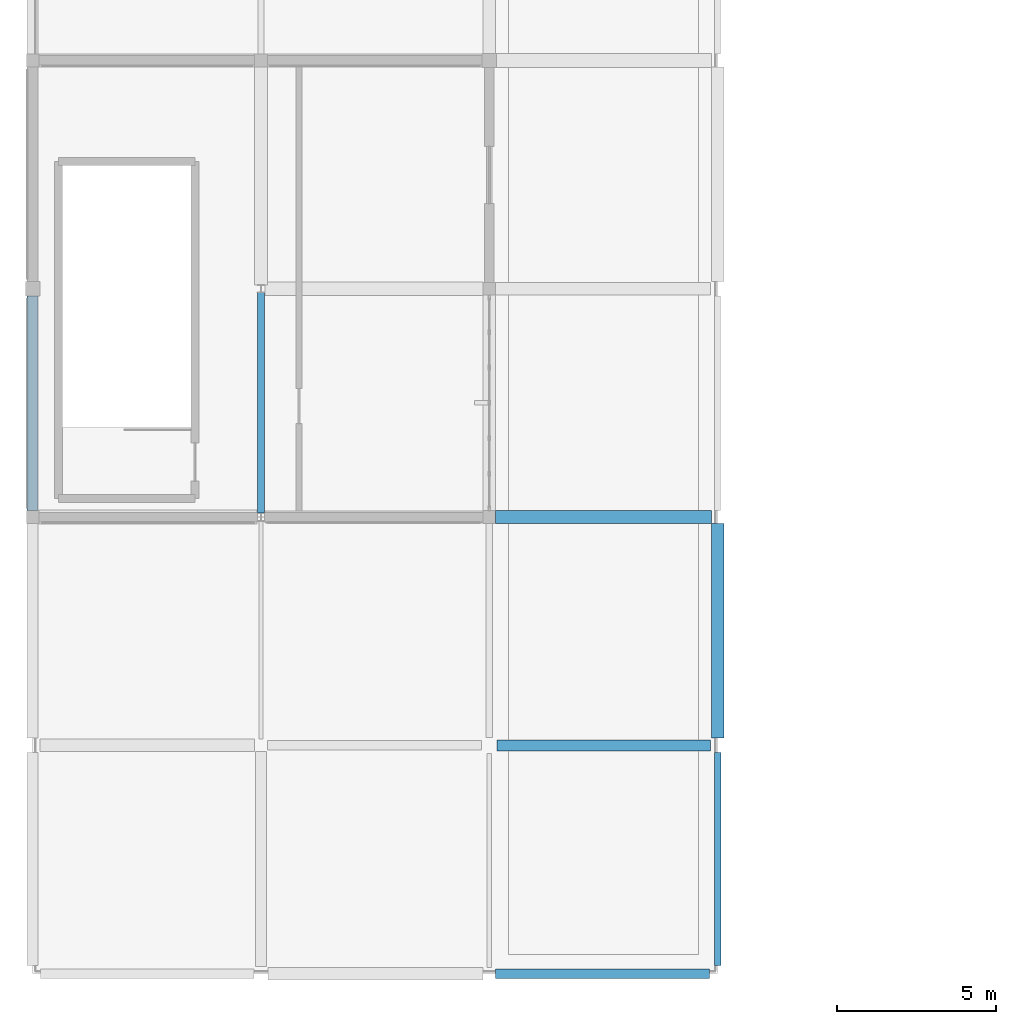
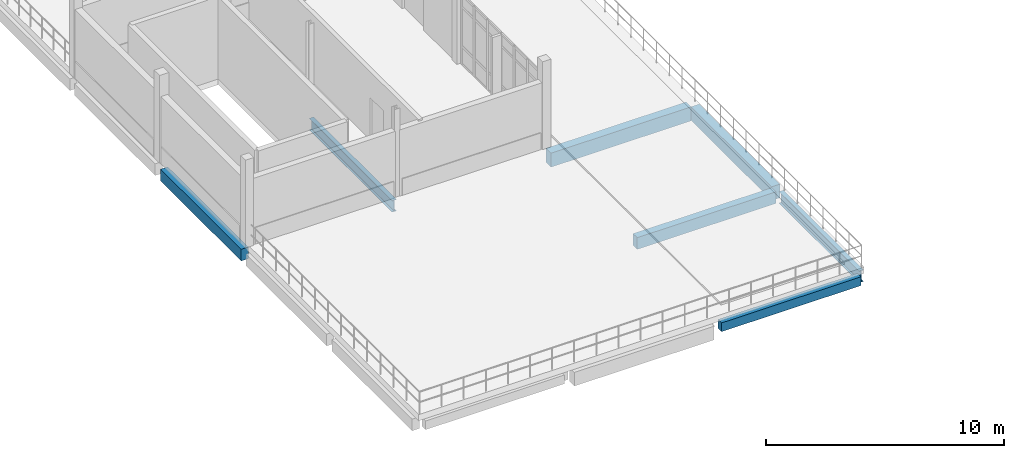
# One storey, part 4 of 41: 7 beams.
"""IFC4 building model written with IfcOpenShell, lengths in metres."""

from ifc_helpers import new_model, si_unit, direction, frame, origin, origin_2d, place, context, subcontext, project, spatial, rectangle, i_section, extrude, material, material_profile, profile_set, type_object, element, save


model = new_model("IFC4")

# Units and contexts
model_context = context("Model", 3, precision=1e-05, world=origin(), true_north=direction((0.0, 1.0)))
body_context = subcontext(model_context, "Body", "Model", "MODEL_VIEW")
ifc_project = project(units=[si_unit("LENGTHUNIT", "METRE"), si_unit("AREAUNIT", "SQUARE_METRE"), si_unit("VOLUMEUNIT", "CUBIC_METRE"), si_unit("PLANEANGLEUNIT", "RADIAN"), si_unit("MASSUNIT", "GRAM", prefix="KILO")], contexts=[model_context])

# Site, building, storey
site_placement = place(None, origin())
site = spatial("IfcSite", under=ifc_project, at=site_placement, CompositionType="ELEMENT")
building_placement = place(site_placement, origin())
building = spatial("IfcBuilding", under=site, at=building_placement, Name="Kalluvel Institute of Natural Sciences", CompositionType="ELEMENT")
storey_placement = place(building_placement, frame((0.0, 0.0, 32.39990234375)))
storey = spatial("IfcBuildingStorey", under=building, at=storey_placement, Name="L07", CompositionType="ELEMENT", Elevation=32.39990234375)

# Beams
ifc_material_1 = material(Name="Steel E350 Grade 350", Category="steel")
ifc_material_profile_1 = material_profile(ifc_material_1, i_section(OverallWidth=0.2099609375, OverallDepth=0.60009765625, WebThickness=0.011962890625, FlangeThickness=0.020751953125, FilletRadius=0.02001953125, at=origin_2d()), Name="ISMB 600")
ifc_profile_set_1 = profile_set([ifc_material_profile_1], Name="Steel E350 Grade 350")
beam_type_1 = type_object("IfcBeamType", Name="BM-ISMB600", PredefinedType="BEAM", material=ifc_profile_set_1)
beam_1_placement = place(storey_placement, frame((21.199951171875, 42.925048828125, -0.619873046875), z_axis=(0.0, 1.0, 0.0), x_axis=(-1.0, 0.0, 0.0)))
element("IfcBeam", 1, at=beam_1_placement, inside=storey, type_object=beam_type_1, Name="L07 girder GIR-L07-NS-X212-Y428", PredefinedType="BEAM", context=body_context, shape_type="SweptSolid", body=[
    extrude(i_section(OverallWidth=0.2099609375, OverallDepth=0.60009765625, WebThickness=0.011962890625, FlangeThickness=0.020751953125, FilletRadius=0.02001953125, at=origin_2d()), origin(), (0.0, 0.0, 1.0), 6.949951171875),
])
beam_2_placement = place(storey_placement, frame((35.60009765625, 28.64990234375, -0.619873046875), z_axis=(0.0, 1.0, 0.0), x_axis=(-1.0, 0.0, 0.0)))
element("IfcBeam", 2, at=beam_2_placement, inside=storey, type_object=beam_type_1, Name="L07 girder GIR-L07-NS-X356-Y284", PredefinedType="BEAM", context=body_context, shape_type="SweptSolid", body=[
    extrude(i_section(OverallWidth=0.2099609375, OverallDepth=0.60009765625, WebThickness=0.011962890625, FlangeThickness=0.020751953125, FilletRadius=0.02001953125, at=origin_2d()), origin(), (0.0, 0.0, 1.0), 6.72509765625),
])
ifc_material_2 = material(Name="Concrete M40", Category="concrete")
ifc_material_profile_2 = material_profile(ifc_material_2, rectangle(XDim=0.39990234375, YDim=0.699951171875, at=origin_2d()), Name="RCB 400x700")
ifc_profile_set_2 = profile_set([ifc_material_profile_2], Name="Concrete M40")
beam_type_2 = type_object("IfcBeamType", Name="BM-RC400x700", PredefinedType="BEAM", material=ifc_profile_set_2)
beam_3_placement = place(storey_placement, frame((35.60009765625, 35.824951171875, -0.669921875), z_axis=(0.0, 1.0, 0.0), x_axis=(-1.0, 0.0, 0.0)))
element("IfcBeam", 3, at=beam_3_placement, inside=storey, type_object=beam_type_2, Name="L07 girder GIR-L07-NS-X356-Y356", PredefinedType="BEAM", context=body_context, shape_type="SweptSolid", body=[
    extrude(rectangle(XDim=0.39990234375, YDim=0.699951171875, at=origin_2d()), origin(), (0.0, 0.0, 1.0), 6.775146484375),
])
ifc_material_profile_3 = material_profile(ifc_material_2, rectangle(XDim=0.419921875, YDim=0.719970703125, at=origin_2d()), Name="RCB 420x720")
ifc_profile_set_3 = profile_set([ifc_material_profile_3], Name="Concrete M40")
beam_type_3 = type_object("IfcBeamType", Name="BM-RC420x720", PredefinedType="BEAM", material=ifc_profile_set_3)
beam_4_placement = place(storey_placement, frame((28.60009765625, 42.800048828125, -0.679931640625), z_axis=(1.0, 0.0, 0.0), x_axis=(0.0, 1.0, 0.0)))
element("IfcBeam", 4, at=beam_4_placement, inside=storey, type_object=beam_type_3, Name="L07 girder GIR-L07-EW-X284-Y428", PredefinedType="BEAM", context=body_context, shape_type="SweptSolid", body=[
    extrude(rectangle(XDim=0.419921875, YDim=0.719970703125, at=origin_2d()), origin(), (0.0, 0.0, 1.0), 6.7998046875),
])
ifc_material_profile_4 = material_profile(ifc_material_2, rectangle(XDim=0.300048828125, YDim=0.449951171875, at=origin_2d()), Name="RCB 300x450")
ifc_profile_set_4 = profile_set([ifc_material_profile_4], Name="Concrete M40")
beam_type_4 = type_object("IfcBeamType", Name="SP-RC300x450", PredefinedType="SPANDREL", material=ifc_profile_set_4)
beam_5_placement = place(storey_placement, frame((28.60009765625, 28.39990234375, -0.544921875), z_axis=(1.0, 0.0, 0.0), x_axis=(0.0, 1.0, 0.0)))
element("IfcBeam", 5, at=beam_5_placement, inside=storey, type_object=beam_type_4, Name="L07 girder GIR-L07-EW-X284-Y284", PredefinedType="SPANDREL", context=body_context, shape_type="SweptSolid", body=[
    extrude(rectangle(XDim=0.300048828125, YDim=0.449951171875, at=origin_2d()), origin(), (0.0, 0.0, 1.0), 6.75),
])
ifc_material_profile_5 = material_profile(ifc_material_2, rectangle(XDim=0.35009765625, YDim=0.60009765625, at=origin_2d()), Name="RCB 350x600")
ifc_profile_set_5 = profile_set([ifc_material_profile_5], Name="Concrete M40")
beam_type_5 = type_object("IfcBeamType", Name="SP-RC350x600", PredefinedType="SPANDREL", material=ifc_profile_set_5)
beam_6_placement = place(storey_placement, frame((28.64990234375, 35.60009765625, -0.619873046875), z_axis=(1.0, 0.0, 0.0), x_axis=(0.0, 1.0, 0.0)))
element("IfcBeam", 6, at=beam_6_placement, inside=storey, type_object=beam_type_5, Name="L07 girder GIR-L07-EW-X284-Y356", PredefinedType="SPANDREL", context=body_context, shape_type="SweptSolid", body=[
    extrude(rectangle(XDim=0.35009765625, YDim=0.60009765625, at=origin_2d()), origin(), (0.0, 0.0, 1.0), 6.72509765625),
])
beam_7_placement = place(storey_placement, frame((14.0, 43.0, -0.619873046875), z_axis=(0.0, 1.0, 0.0), x_axis=(-1.0, 0.0, 0.0)))
element("IfcBeam", 7, at=beam_7_placement, inside=storey, type_object=beam_type_5, Name="L07 girder GIR-L07-NS-X140-Y428", PredefinedType="SPANDREL", context=body_context, shape_type="SweptSolid", body=[
    extrude(rectangle(XDim=0.35009765625, YDim=0.60009765625, at=origin_2d()), origin(), (0.0, 0.0, 1.0), 6.77490234375),
])

save(model, "model.ifc")
